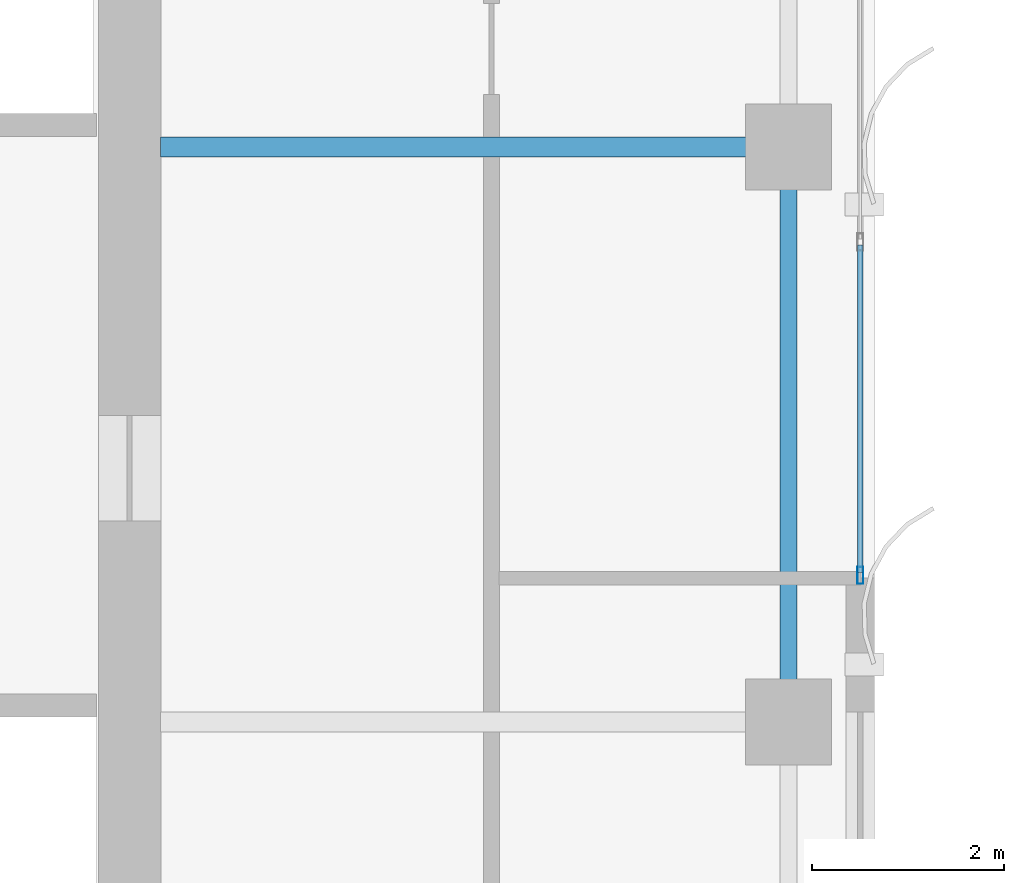
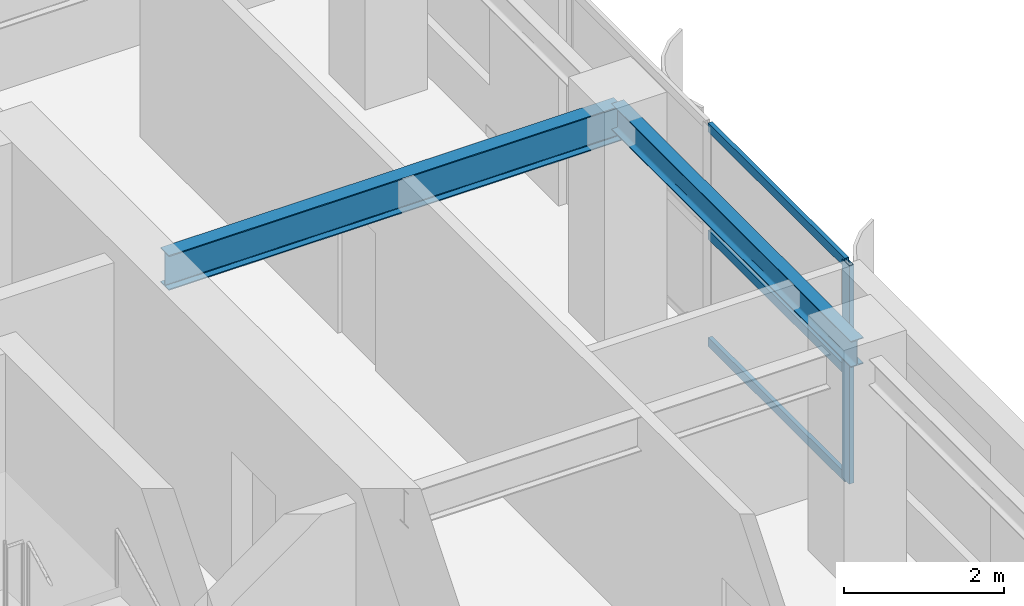
# One storey, part 9 of 23: 4 members, 2 beams, 1 element without a shape of its own.
"""IFC4 building model written with IfcOpenShell, lengths in metres."""

from ifc_helpers import new_model, si_unit, direction, frame, origin, origin_2d, place, context, subcontext, project, spatial, hollow_rectangle, i_section, extrude, source, transform, mapped, material, layer, layer_set, material_profile, profile_set, type_object, element, aggregate, save


model = new_model("IFC4")

# Units and contexts
model_context = context("Model", 3, precision=1e-05, world=origin(), true_north=direction((0.0, 1.0)))
body_context = subcontext(model_context, "Body", "Model", "MODEL_VIEW")
ifc_project = project(units=[si_unit("LENGTHUNIT", "METRE"), si_unit("AREAUNIT", "SQUARE_METRE"), si_unit("VOLUMEUNIT", "CUBIC_METRE"), si_unit("PLANEANGLEUNIT", "RADIAN"), si_unit("MASSUNIT", "GRAM", prefix="KILO")], contexts=[model_context])

# Site, building, storey
site_placement = place(None, origin())
site = spatial("IfcSite", under=ifc_project, at=site_placement, CompositionType="ELEMENT")
building_placement = place(site_placement, origin())
building = spatial("IfcBuilding", under=site, at=building_placement, Name="Khoralis Quay Care Tower", CompositionType="ELEMENT")
storey_placement = place(building_placement, frame((0.0, 0.0, 173.699951171875)))
storey = spatial("IfcBuildingStorey", under=building, at=storey_placement, Name="L45", CompositionType="ELEMENT", Elevation=173.699951171875)

# Beams
ifc_material_1 = material(Name="Steel S355", Category="steel")
ifc_material_profile_1 = material_profile(ifc_material_1, i_section(OverallWidth=0.179931640625, OverallDepth=0.39990234375, WebThickness=0.008544921875, FlangeThickness=0.013427734375, FilletRadius=0.02099609375, at=origin_2d()), Name="Steel S355")
ifc_profile_set_1 = profile_set([ifc_material_profile_1], Name="Steel S355")
beam_type_1 = type_object("IfcBeamType", Name="BM-IPE400", PredefinedType="SPANDREL", material=ifc_profile_set_1)
shared_shape_1 = source(origin(), body_context, "Body", "SweptSolid", [
    extrude(i_section(OverallWidth=0.179931640625, OverallDepth=0.39990234375, WebThickness=0.008544921875, FlangeThickness=0.013427734375, FilletRadius=0.02099609375, at=origin_2d()), origin(), (0.0, 0.0, 1.0), 6.0),
])
beam_1_placement = place(storey_placement, frame((44.10009765625, 18.0, 3.14013671875), z_axis=(0.0, 1.0, 0.0), x_axis=(-1.0, 0.0, 0.0)))
element("IfcBeam", 1, at=beam_1_placement, inside=storey, type_object=beam_type_1, Name="BM-TSP-L45-16", PredefinedType="SPANDREL", context=body_context, shape_type="MappedRepresentation", body=[
    mapped(shared_shape_1, transform((0.0, 0.0, 0.0), scale=1.0)),
])
ifc_material_profile_2 = material_profile(ifc_material_1, i_section(OverallWidth=0.208984375, OverallDepth=0.532958984375, WebThickness=0.01025390625, FlangeThickness=0.015625, FilletRadius=0.01611328125, at=origin_2d()), Name="Steel S355")
ifc_profile_set_2 = profile_set([ifc_material_profile_2], Name="Steel S355")
beam_type_2 = type_object("IfcBeamType", Name="BM-W530X92", PredefinedType="BEAM", material=ifc_profile_set_2)
shared_shape_2 = source(origin(), body_context, "Body", "SweptSolid", [
    extrude(i_section(OverallWidth=0.208984375, OverallDepth=0.532958984375, WebThickness=0.01025390625, FlangeThickness=0.015625, FilletRadius=0.01611328125, at=origin_2d()), origin(), (0.0, 0.0, 1.0), 6.552001953125),
])
beam_2_placement = place(storey_placement, frame((37.548095703125, 24.0, 3.073486328125), z_axis=(1.0, 0.0, 0.0), x_axis=(0.0, 1.0, 0.0)))
element("IfcBeam", 2, at=beam_2_placement, inside=storey, type_object=beam_type_2, Name="BM-TGXE-L45-240", PredefinedType="BEAM", context=body_context, shape_type="MappedRepresentation", body=[
    mapped(shared_shape_2, transform((0.0, 0.0, 0.0), scale=1.0)),
])

# Curtain wall, members
ifc_material_2 = material(Name="Pale anodised aluminium", Category="aluminium")
ifc_layer = layer(ifc_material_2, 0.159912109375)
ifc_layer_set = layer_set([ifc_layer], Name="Pale anodised aluminium")
curtain_wall_type = type_object("IfcCurtainWallType", Name="CW-SYS-Z3", PredefinedType="NOTDEFINED", material=ifc_layer_set)
curtain_wall_placement = place(storey_placement, origin())
curtain_wall = element("IfcCurtainWall", 3, at=curtain_wall_placement, inside=storey, type_object=curtain_wall_type, Name="L45 Unitised Curtain Wall CW-L45-P1-E5", PredefinedType="NOTDEFINED")
ifc_material_profile_3 = material_profile(ifc_material_2, hollow_rectangle(XDim=0.06494140625, YDim=0.179931640625, WallThickness=0.00390625, at=origin_2d()), Name="Pale anodised aluminium")
ifc_profile_set_3 = profile_set([ifc_material_profile_3], Name="Pale anodised aluminium")
member_type_1 = type_object("IfcMemberType", Name="CW-MUL-180", PredefinedType="MULLION", material=ifc_profile_set_3)
shared_shape_3 = source(origin(), body_context, "Body", "SweptSolid", [
    extrude(hollow_rectangle(XDim=0.06494140625, YDim=0.179931640625, WallThickness=0.00390625, at=origin_2d()), origin(), (0.0, 0.0, 1.0), 3.340087890625),
])
member_1_placement = place(storey_placement, frame((44.85009765625, 19.530029296875, 0.0), z_axis=(0.0, 0.0, 1.0), x_axis=(-1.0, 0.0, 0.0)))
member_1 = element("IfcMember", 4, at=member_1_placement, type_object=member_type_1, Name="CW3 mullion 1", PredefinedType="MULLION", context=body_context, shape_type="MappedRepresentation", body=[
    mapped(shared_shape_3, transform((0.0, 0.0, 0.0), scale=1.0)),
])
ifc_material_profile_4 = material_profile(ifc_material_2, hollow_rectangle(XDim=0.06005859375, YDim=0.139892578125, WallThickness=0.00390625, at=origin_2d()), Name="Pale anodised aluminium")
ifc_profile_set_4 = profile_set([ifc_material_profile_4], Name="Pale anodised aluminium")
member_type_2 = type_object("IfcMemberType", Name="CW-TRN-140", PredefinedType="USERDEFINED", material=ifc_profile_set_4)
shared_shape_4 = source(origin(), body_context, "Body", "SweptSolid", [
    extrude(hollow_rectangle(XDim=0.06005859375, YDim=0.139892578125, WallThickness=0.00390625, at=origin_2d()), origin(), (0.0, 0.0, 1.0), 3.419921875),
])
member_2_placement = place(storey_placement, frame((44.85009765625, 19.56005859375, 0.030029296875), z_axis=(0.0, 1.0, 0.0), x_axis=(-1.0, 0.0, 0.0)))
member_2 = element("IfcMember", 5, at=member_2_placement, type_object=member_type_2, Name="CW3 transom 1.1", ObjectType="TRANSOM", PredefinedType="USERDEFINED", context=body_context, shape_type="MappedRepresentation", body=[
    mapped(shared_shape_4, transform((0.0, 0.0, 0.0), scale=1.0)),
])
member_3_placement = place(storey_placement, frame((44.85009765625, 19.56005859375, 1.670166015625), z_axis=(0.0, 1.0, 0.0), x_axis=(-1.0, 0.0, 0.0)))
member_3 = element("IfcMember", 6, at=member_3_placement, type_object=member_type_2, Name="CW3 transom 1.2", ObjectType="TRANSOM", PredefinedType="USERDEFINED", context=body_context, shape_type="MappedRepresentation", body=[
    mapped(shared_shape_4, transform((0.0, 0.0, 0.0), scale=1.0)),
])
member_4_placement = place(storey_placement, frame((44.85009765625, 19.56005859375, 3.31005859375), z_axis=(0.0, 1.0, 0.0), x_axis=(-1.0, 0.0, 0.0)))
member_4 = element("IfcMember", 7, at=member_4_placement, type_object=member_type_2, Name="CW3 transom 1.3", ObjectType="TRANSOM", PredefinedType="USERDEFINED", context=body_context, shape_type="MappedRepresentation", body=[
    mapped(shared_shape_4, transform((0.0, 0.0, 0.0), scale=1.0)),
])
aggregate(curtain_wall, [member_1, member_2, member_3, member_4])

save(model, "model.ifc")
